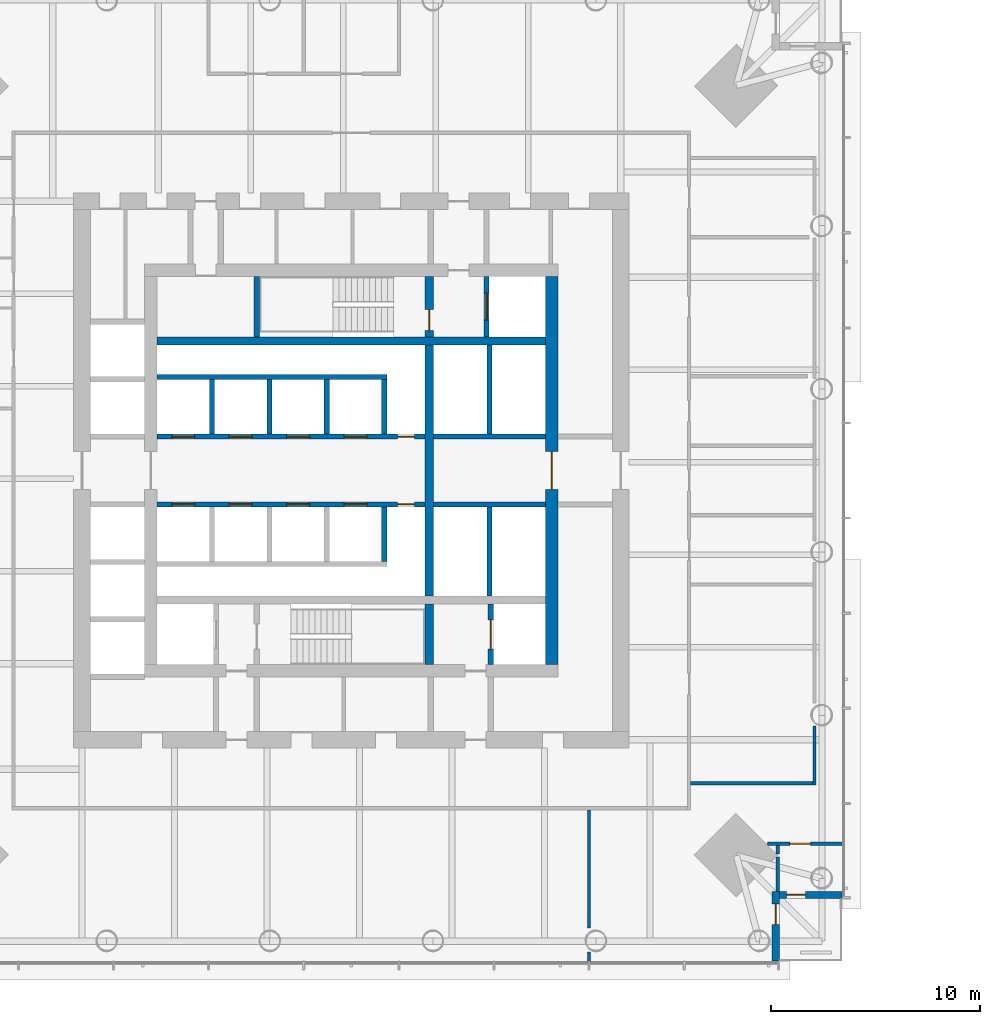
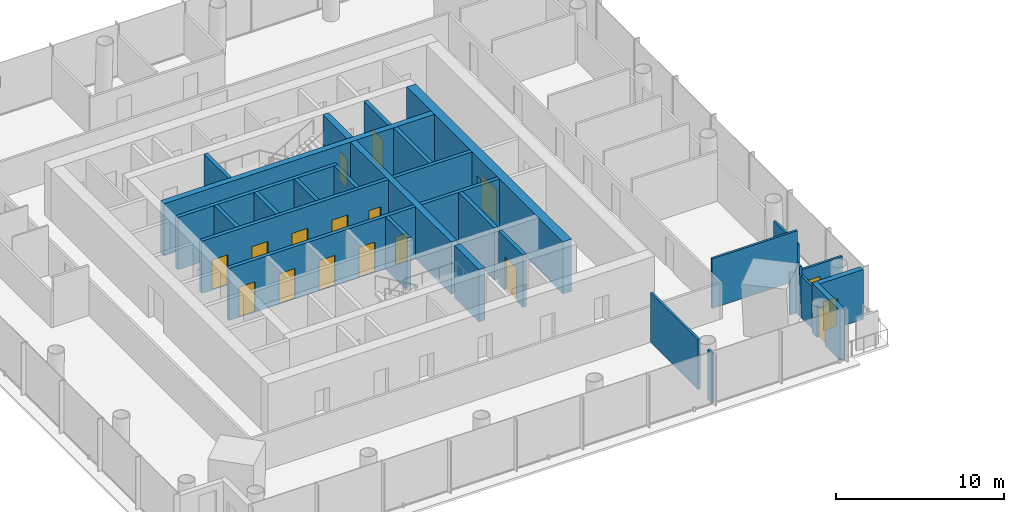
# One storey, part 10 of 26: 29 walls, 17 doors, 17 openings.
"""IFC4 building model written with IfcOpenShell, lengths in metres."""

from ifc_helpers import new_model, si_unit, direction, frame, frame_2d, origin, place, context, subcontext, project, spatial, rectangle, extrude, material, layer, layer_set, type_object, element, fill, save


model = new_model("IFC4")

# Units and contexts
model_context = context("Model", 3, precision=1e-05, world=origin(), true_north=direction((0.0, 1.0)))
body_context = subcontext(model_context, "Body", "Model", "MODEL_VIEW")
ifc_project = project(units=[si_unit("LENGTHUNIT", "METRE"), si_unit("AREAUNIT", "SQUARE_METRE"), si_unit("VOLUMEUNIT", "CUBIC_METRE"), si_unit("PLANEANGLEUNIT", "RADIAN"), si_unit("MASSUNIT", "GRAM", prefix="KILO")], contexts=[model_context])

# Site, building, storey
site_placement = place(None, origin())
site = spatial("IfcSite", under=ifc_project, at=site_placement, CompositionType="ELEMENT")
building_placement = place(site_placement, origin())
building = spatial("IfcBuilding", under=site, at=building_placement, Name="Ostroluk Exchange", CompositionType="ELEMENT")
storey_placement = place(building_placement, frame((0.0, 0.0, 66.60009765625)))
storey = spatial("IfcBuildingStorey", under=building, at=storey_placement, Name="L16", CompositionType="ELEMENT", Elevation=66.60009765625)

# Walls
ifc_material_1 = material(Name="Concrete C50/60", Category="concrete")
ifc_layer_1 = layer(ifc_material_1, 0.39990234375)
ifc_layer_set_1 = layer_set([ifc_layer_1], Name="Core cross wall 400 C50/60")
wall_type_1 = type_object("IfcWallType", Name="Core cross wall 400 C50/60", PredefinedType="SHEAR", material=ifc_layer_set_1)
wall_1_placement = place(storey_placement, frame((35.699951171875, 52.199951171875, 0.0), z_axis=(0.0, 0.0, 1.0), x_axis=(1.0, 0.0, 0.0)))
element("IfcWall", 1, at=wall_1_placement, inside=storey, type_object=wall_type_1, Name="T1 core wall XN", PredefinedType="SHEAR", context=body_context, shape_type="SweptSolid", body=[
    extrude(rectangle(XDim=18.60009765625, YDim=0.39990234375, at=frame_2d((9.300048828125, 0.0))), origin(), (0.0, 0.0, 1.0), 3.7998046875),
])
wall_2_placement = place(storey_placement, frame((48.72998046875, 36.699951171875, 0.0), z_axis=(0.0, 0.0, 1.0), x_axis=(0.0, 1.0, 0.0)))
element("IfcWall", 2, at=wall_2_placement, inside=storey, type_object=wall_type_1, Name="T1 core wall YE1", PredefinedType="SHEAR", context=body_context, shape_type="SweptSolid", body=[
    extrude(rectangle(XDim=2.900146484375, YDim=0.39990234375, at=frame_2d((1.4501953125, 0.0))), origin(), (0.0, 0.0, 1.0), 3.7998046875),
])
wall_3_placement = place(storey_placement, frame((48.72998046875, 40.0, 0.0), z_axis=(0.0, 0.0, 1.0), x_axis=(0.0, 1.0, 0.0)))
element("IfcWall", 3, at=wall_3_placement, inside=storey, type_object=wall_type_1, Name="T1 core wall YE2", PredefinedType="SHEAR", context=body_context, shape_type="SweptSolid", body=[
    extrude(rectangle(XDim=12.0, YDim=0.39990234375, at=frame_2d((6.0, 0.0))), origin(), (0.0, 0.0, 1.0), 3.7998046875),
])

# Wall, opening, door
wall_4_placement = place(storey_placement, frame((48.72998046875, 52.39990234375, 0.0), z_axis=(0.0, 0.0, 1.0), x_axis=(0.0, 1.0, 0.0)))
wall_4 = element("IfcWall", 4, at=wall_4_placement, inside=storey, type_object=wall_type_1, Name="T1 core wall YE3", PredefinedType="SHEAR", context=body_context, shape_type="SweptSolid", body=[
    extrude(rectangle(XDim=2.900146484375, YDim=0.39990234375, at=frame_2d((1.4501953125, 0.0))), origin(), (0.0, 0.0, 1.0), 3.7998046875),
])
opening_1_placement = place(wall_4_placement, frame((0.300048828125, 0.0, 0.0)))
opening_1 = element("IfcOpeningElement", 5, at=opening_1_placement, cuts=wall_4, Name="Opening FD60", PredefinedType="OPENING", context=body_context, shape_type="SweptSolid", body=[
    extrude(rectangle(XDim=1.0, YDim=2.10009765625, at=frame_2d((0.5, 1.050048828125))), frame((0.0, 0.2099609375, 0.0), z_axis=(0.0, -1.0, 0.0), x_axis=(1.0, 0.0, 0.0)), (0.0, 0.0, 1.0), 0.419921875),
])
ifc_material_2 = material(Name="Steel", Category="steel")
door_type_1 = type_object("IfcDoorType", Name="Fire door EI 60 1000 x 2100", OperationType="SINGLE_SWING_LEFT", PredefinedType="DOOR", material=ifc_material_2)
door_1_placement = place(opening_1_placement, origin())
door_1 = element("IfcDoor", 6, at=door_1_placement, inside=storey, type_object=door_type_1, Name="Stair T1-S2 door", OperationType="SINGLE_SWING_LEFT", OverallHeight=2.10009765625, OverallWidth=1.0, PredefinedType="DOOR", context=body_context, shape_type="SweptSolid", body=[
    extrude(rectangle(XDim=1.0, YDim=2.10009765625, at=frame_2d((0.5, 1.050048828125))), frame((0.0, 0.02490234375, 0.0), z_axis=(0.0, -1.0, 0.0), x_axis=(1.0, 0.0, 0.0)), (0.0, 0.0, 1.0), 0.050048828125),
])
fill(opening_1, door_1)

ifc_material_3 = material(Name="Concrete C40/50", Category="concrete")
ifc_layer_2 = layer(ifc_material_3, 0.25)
ifc_layer_set_2 = layer_set([ifc_layer_2], Name="Core shaft wall 250")
wall_type_2 = type_object("IfcWallType", Name="Core shaft wall 250", PredefinedType="SHEAR", material=ifc_layer_set_2)
wall_5_placement = place(storey_placement, frame((51.675048828125, 36.699951171875, 0.0), z_axis=(0.0, 0.0, 1.0), x_axis=(0.0, 1.0, 0.0)))
wall_5 = element("IfcWall", 7, at=wall_5_placement, inside=storey, type_object=wall_type_2, Name="Service lift shaft wall", PredefinedType="SHEAR", context=body_context, shape_type="SweptSolid", body=[
    extrude(rectangle(XDim=2.900146484375, YDim=0.25, at=frame_2d((1.4501953125, 0.0))), origin(), (0.0, 0.0, 1.0), 3.7998046875),
])
opening_2_placement = place(wall_5_placement, frame((0.75, 0.0, 0.0)))
opening_2 = element("IfcOpeningElement", 8, at=opening_2_placement, cuts=wall_5, Name="Opening LD3", PredefinedType="OPENING", context=body_context, shape_type="SweptSolid", body=[
    extrude(rectangle(XDim=1.39990234375, YDim=2.39990234375, at=frame_2d((0.699951171875, 1.199951171875))), frame((0.0, 0.135009765625, 0.0), z_axis=(0.0, -1.0, 0.0), x_axis=(1.0, 0.0, 0.0)), (0.0, 0.0, 1.0), 0.27001953125),
])
ifc_material_4 = material(Name="Stainless steel", Category="steel")
door_type_2 = type_object("IfcDoorType", Name="Goods lift landing door E 60 1400 x 2400", OperationType="DOUBLE_DOOR_SLIDING", PredefinedType="DOOR", material=ifc_material_4)
door_2_placement = place(opening_2_placement, origin())
door_2 = element("IfcDoor", 9, at=door_2_placement, inside=storey, type_object=door_type_2, Name="Lift SL1 landing door", OperationType="DOUBLE_DOOR_SLIDING", OverallHeight=2.39990234375, OverallWidth=1.39990234375, PredefinedType="DOOR", context=body_context, shape_type="SweptSolid", body=[
    extrude(rectangle(XDim=1.39990234375, YDim=2.39990234375, at=frame_2d((0.699951171875, 1.199951171875))), frame((0.0, 0.02490234375, 0.0), z_axis=(0.0, -1.0, 0.0), x_axis=(1.0, 0.0, 0.0)), (0.0, 0.0, 1.0), 0.050048828125),
])
fill(opening_2, door_2)

# Wall
wall_6_placement = place(storey_placement, frame((40.47509765625, 52.39990234375, 0.0), z_axis=(0.0, 0.0, 1.0), x_axis=(0.0, 1.0, 0.0)))
element("IfcWall", 10, at=wall_6_placement, inside=storey, type_object=wall_type_2, Name="Stair shaft wall", PredefinedType="SHEAR", context=body_context, shape_type="SweptSolid", body=[
    extrude(rectangle(XDim=2.900146484375, YDim=0.25, at=frame_2d((1.4501953125, 0.0))), origin(), (0.0, 0.0, 1.0), 3.7998046875),
])

# Wall, opening, door
wall_7_placement = place(storey_placement, frame((51.47509765625, 52.39990234375, 0.0), z_axis=(0.0, 0.0, 1.0), x_axis=(0.0, 1.0, 0.0)))
wall_7 = element("IfcWall", 11, at=wall_7_placement, inside=storey, type_object=wall_type_2, Name="Firefighting lift shaft wall", PredefinedType="SHEAR", context=body_context, shape_type="SweptSolid", body=[
    extrude(rectangle(XDim=2.900146484375, YDim=0.25, at=frame_2d((1.4501953125, 0.0))), origin(), (0.0, 0.0, 1.0), 3.7998046875),
])
opening_3_placement = place(wall_7_placement, frame((0.800048828125, 0.0, 0.0)))
opening_3 = element("IfcOpeningElement", 12, at=opening_3_placement, cuts=wall_7, Name="Opening LD2", PredefinedType="OPENING", context=body_context, shape_type="SweptSolid", body=[
    extrude(rectangle(XDim=1.300048828125, YDim=2.199951171875, at=frame_2d((0.64990234375, 1.10009765625))), frame((0.0, 0.135009765625, 0.0), z_axis=(0.0, -1.0, 0.0), x_axis=(1.0, 0.0, 0.0)), (0.0, 0.0, 1.0), 0.27001953125),
])
ifc_material_5 = material(Name="Stainless steel", Category="steel")
door_type_3 = type_object("IfcDoorType", Name="Lift landing door E 60 1300 x 2200", OperationType="DOUBLE_DOOR_SLIDING", PredefinedType="DOOR", material=ifc_material_5)
door_3_placement = place(opening_3_placement, origin())
door_3 = element("IfcDoor", 13, at=door_3_placement, inside=storey, type_object=door_type_3, Name="Lift FL2 landing door", OperationType="DOUBLE_DOOR_SLIDING", OverallHeight=2.199951171875, OverallWidth=1.300048828125, PredefinedType="DOOR", context=body_context, shape_type="SweptSolid", body=[
    extrude(rectangle(XDim=1.300048828125, YDim=2.199951171875, at=frame_2d((0.64990234375, 1.10009765625))), frame((0.0, 0.02490234375, 0.0), z_axis=(0.0, -1.0, 0.0), x_axis=(1.0, 0.0, 0.0)), (0.0, 0.0, 1.0), 0.050048828125),
])
fill(opening_3, door_3)

# Walls
for number, where, z_axis, x_axis, name in (
    (14, (38.324951171875, 47.75, 0.0), (0.0, 0.0, 1.0), (0.0, 1.0, 0.0), "Lift shaft wall"),
    (15, (41.074951171875, 47.75, 0.0), (0.0, 0.0, 1.0), (0.0, 1.0, 0.0), "Lift shaft wall"),
    (16, (43.824951171875, 47.75, 0.0), (0.0, 0.0, 1.0), (0.0, 1.0, 0.0), "Lift shaft wall"),
    (17, (46.574951171875, 47.75, 0.0), (0.0, 0.0, 1.0), (0.0, 1.0, 0.0), "Lift shaft wall"),
):
    element("IfcWall", number, at=place(storey_placement, frame(where, z_axis=z_axis, x_axis=x_axis)), inside=storey, type_object=wall_type_2, Name=name, PredefinedType="SHEAR", context=body_context, shape_type="SweptSolid", body=[
        extrude(rectangle(XDim=2.60009765625, YDim=0.25, at=frame_2d((1.300048828125, 0.0))), origin(), (0.0, 0.0, 1.0), 3.7998046875),
    ])
wall_8_placement = place(storey_placement, frame((35.699951171875, 50.47509765625, 0.0), z_axis=(0.0, 0.0, 1.0), x_axis=(1.0, 0.0, 0.0)))
element("IfcWall", 18, at=wall_8_placement, inside=storey, type_object=wall_type_2, Name="Lift shaft wall", PredefinedType="SHEAR", context=body_context, shape_type="SweptSolid", body=[
    extrude(rectangle(XDim=11.0, YDim=0.25, at=frame_2d((5.5, 0.0))), origin(), (0.0, 0.0, 1.0), 3.7998046875),
])

# Wall, openings, doors
wall_9_placement = place(storey_placement, frame((35.699951171875, 47.625, 0.0), z_axis=(0.0, 0.0, 1.0), x_axis=(1.0, 0.0, 0.0)))
wall_9 = element("IfcWall", 19, at=wall_9_placement, inside=storey, type_object=wall_type_2, Name="Lift shaft front wall", PredefinedType="SHEAR", context=body_context, shape_type="SweptSolid", body=[
    extrude(rectangle(XDim=12.830078125, YDim=0.25, at=frame_2d((6.4150390625, 0.0))), origin(), (0.0, 0.0, 1.0), 3.7998046875),
])
opening_4_placement = place(wall_9_placement, frame((0.699951171875, 0.0, 0.0)))
opening_4 = element("IfcOpeningElement", 20, at=opening_4_placement, cuts=wall_9, Name="Opening LD", PredefinedType="OPENING", context=body_context, shape_type="SweptSolid", body=[
    extrude(rectangle(XDim=1.10009765625, YDim=2.199951171875, at=frame_2d((0.550048828125, 1.10009765625))), frame((0.0, 0.135009765625, 0.0), z_axis=(0.0, -1.0, 0.0), x_axis=(1.0, 0.0, 0.0)), (0.0, 0.0, 1.0), 0.27001953125),
])
opening_5_placement = place(wall_9_placement, frame((3.449951171875, 0.0, 0.0)))
opening_5 = element("IfcOpeningElement", 21, at=opening_5_placement, cuts=wall_9, Name="Opening LD", PredefinedType="OPENING", context=body_context, shape_type="SweptSolid", body=[
    extrude(rectangle(XDim=1.10009765625, YDim=2.199951171875, at=frame_2d((0.550048828125, 1.10009765625))), frame((0.0, 0.135009765625, 0.0), z_axis=(0.0, -1.0, 0.0), x_axis=(1.0, 0.0, 0.0)), (0.0, 0.0, 1.0), 0.27001953125),
])
opening_6_placement = place(wall_9_placement, frame((6.199951171875, 0.0, 0.0)))
opening_6 = element("IfcOpeningElement", 22, at=opening_6_placement, cuts=wall_9, Name="Opening LD", PredefinedType="OPENING", context=body_context, shape_type="SweptSolid", body=[
    extrude(rectangle(XDim=1.10009765625, YDim=2.199951171875, at=frame_2d((0.550048828125, 1.10009765625))), frame((0.0, 0.135009765625, 0.0), z_axis=(0.0, -1.0, 0.0), x_axis=(1.0, 0.0, 0.0)), (0.0, 0.0, 1.0), 0.27001953125),
])
opening_7_placement = place(wall_9_placement, frame((8.949951171875, 0.0, 0.0)))
opening_7 = element("IfcOpeningElement", 23, at=opening_7_placement, cuts=wall_9, Name="Opening LD", PredefinedType="OPENING", context=body_context, shape_type="SweptSolid", body=[
    extrude(rectangle(XDim=1.10009765625, YDim=2.199951171875, at=frame_2d((0.550048828125, 1.10009765625))), frame((0.0, 0.135009765625, 0.0), z_axis=(0.0, -1.0, 0.0), x_axis=(1.0, 0.0, 0.0)), (0.0, 0.0, 1.0), 0.27001953125),
])
opening_8_placement = place(wall_9_placement, frame((11.514892578125, 0.0, 0.0)))
opening_8 = element("IfcOpeningElement", 24, at=opening_8_placement, cuts=wall_9, Name="Opening RD60", PredefinedType="OPENING", context=body_context, shape_type="SweptSolid", body=[
    extrude(rectangle(XDim=0.800048828125, YDim=2.0, at=frame_2d((0.39990234375, 1.0))), frame((0.0, 0.135009765625, 0.0), z_axis=(0.0, -1.0, 0.0), x_axis=(1.0, 0.0, 0.0)), (0.0, 0.0, 1.0), 0.27001953125),
])
ifc_material_6 = material(Name="Stainless steel", Category="steel")
door_type_4 = type_object("IfcDoorType", Name="Lift landing door E 60 1100 x 2200", OperationType="DOUBLE_DOOR_SLIDING", PredefinedType="DOOR", material=ifc_material_6)
door_4_placement = place(opening_4_placement, origin())
door_4 = element("IfcDoor", 25, at=door_4_placement, inside=storey, type_object=door_type_4, Name="Lift PL-L1 landing door", OperationType="DOUBLE_DOOR_SLIDING", OverallHeight=2.199951171875, OverallWidth=1.10009765625, PredefinedType="DOOR", context=body_context, shape_type="SweptSolid", body=[
    extrude(rectangle(XDim=1.10009765625, YDim=2.199951171875, at=frame_2d((0.550048828125, 1.10009765625))), frame((0.0, 0.02490234375, 0.0), z_axis=(0.0, -1.0, 0.0), x_axis=(1.0, 0.0, 0.0)), (0.0, 0.0, 1.0), 0.050048828125),
])
fill(opening_4, door_4)
door_5_placement = place(opening_5_placement, origin())
door_5 = element("IfcDoor", 26, at=door_5_placement, inside=storey, type_object=door_type_4, Name="Lift PL-L2 landing door", OperationType="DOUBLE_DOOR_SLIDING", OverallHeight=2.199951171875, OverallWidth=1.10009765625, PredefinedType="DOOR", context=body_context, shape_type="SweptSolid", body=[
    extrude(rectangle(XDim=1.10009765625, YDim=2.199951171875, at=frame_2d((0.550048828125, 1.10009765625))), frame((0.0, 0.02490234375, 0.0), z_axis=(0.0, -1.0, 0.0), x_axis=(1.0, 0.0, 0.0)), (0.0, 0.0, 1.0), 0.050048828125),
])
fill(opening_5, door_5)
door_6_placement = place(opening_6_placement, origin())
door_6 = element("IfcDoor", 27, at=door_6_placement, inside=storey, type_object=door_type_4, Name="Lift PL-L3 landing door", OperationType="DOUBLE_DOOR_SLIDING", OverallHeight=2.199951171875, OverallWidth=1.10009765625, PredefinedType="DOOR", context=body_context, shape_type="SweptSolid", body=[
    extrude(rectangle(XDim=1.10009765625, YDim=2.199951171875, at=frame_2d((0.550048828125, 1.10009765625))), frame((0.0, 0.02490234375, 0.0), z_axis=(0.0, -1.0, 0.0), x_axis=(1.0, 0.0, 0.0)), (0.0, 0.0, 1.0), 0.050048828125),
])
fill(opening_6, door_6)
door_7_placement = place(opening_7_placement, origin())
door_7 = element("IfcDoor", 28, at=door_7_placement, inside=storey, type_object=door_type_4, Name="Lift PL-L4 landing door", OperationType="DOUBLE_DOOR_SLIDING", OverallHeight=2.199951171875, OverallWidth=1.10009765625, PredefinedType="DOOR", context=body_context, shape_type="SweptSolid", body=[
    extrude(rectangle(XDim=1.10009765625, YDim=2.199951171875, at=frame_2d((0.550048828125, 1.10009765625))), frame((0.0, 0.02490234375, 0.0), z_axis=(0.0, -1.0, 0.0), x_axis=(1.0, 0.0, 0.0)), (0.0, 0.0, 1.0), 0.050048828125),
])
fill(opening_7, door_7)
ifc_material_7 = material(Name="Steel", Category="steel")
door_type_5 = type_object("IfcDoorType", Name="Riser access door EI 60 800 x 2000", OperationType="SINGLE_SWING_LEFT", PredefinedType="DOOR", material=ifc_material_7)
door_8_placement = place(opening_8_placement, origin())
door_8 = element("IfcDoor", 29, at=door_8_placement, inside=storey, type_object=door_type_5, Name="Riser access door", OperationType="SINGLE_SWING_RIGHT", OverallHeight=2.0, OverallWidth=0.800048828125, PredefinedType="DOOR", context=body_context, shape_type="SweptSolid", body=[
    extrude(rectangle(XDim=0.800048828125, YDim=2.0, at=frame_2d((0.39990234375, 1.0))), frame((0.0, 0.02490234375, 0.0), z_axis=(0.0, -1.0, 0.0), x_axis=(1.0, 0.0, 0.0)), (0.0, 0.0, 1.0), 0.050048828125),
])
fill(opening_8, door_8)

# Wall
wall_10_placement = place(storey_placement, frame((46.574951171875, 44.25, 0.0), z_axis=(0.0, 0.0, 1.0), x_axis=(0.0, -1.0, 0.0)))
element("IfcWall", 30, at=wall_10_placement, inside=storey, type_object=wall_type_2, Name="Lift shaft wall", PredefinedType="SHEAR", context=body_context, shape_type="SweptSolid", body=[
    extrude(rectangle(XDim=2.60009765625, YDim=0.25, at=frame_2d((1.300048828125, 0.0))), origin(), (0.0, 0.0, 1.0), 3.7998046875),
])

# Wall, openings, doors
wall_11_placement = place(storey_placement, frame((35.699951171875, 44.375, 0.0), z_axis=(0.0, 0.0, 1.0), x_axis=(1.0, 0.0, 0.0)))
wall_11 = element("IfcWall", 31, at=wall_11_placement, inside=storey, type_object=wall_type_2, Name="Lift shaft front wall", PredefinedType="SHEAR", context=body_context, shape_type="SweptSolid", body=[
    extrude(rectangle(XDim=12.830078125, YDim=0.25, at=frame_2d((6.4150390625, 0.0))), origin(), (0.0, 0.0, 1.0), 3.7998046875),
])
opening_9_placement = place(wall_11_placement, frame((0.699951171875, 0.0, 0.0)))
opening_9 = element("IfcOpeningElement", 32, at=opening_9_placement, cuts=wall_11, Name="Opening LD", PredefinedType="OPENING", context=body_context, shape_type="SweptSolid", body=[
    extrude(rectangle(XDim=1.10009765625, YDim=2.199951171875, at=frame_2d((0.550048828125, 1.10009765625))), frame((0.0, 0.135009765625, 0.0), z_axis=(0.0, -1.0, 0.0), x_axis=(1.0, 0.0, 0.0)), (0.0, 0.0, 1.0), 0.27001953125),
])
opening_10_placement = place(wall_11_placement, frame((3.449951171875, 0.0, 0.0)))
opening_10 = element("IfcOpeningElement", 33, at=opening_10_placement, cuts=wall_11, Name="Opening LD", PredefinedType="OPENING", context=body_context, shape_type="SweptSolid", body=[
    extrude(rectangle(XDim=1.10009765625, YDim=2.199951171875, at=frame_2d((0.550048828125, 1.10009765625))), frame((0.0, 0.135009765625, 0.0), z_axis=(0.0, -1.0, 0.0), x_axis=(1.0, 0.0, 0.0)), (0.0, 0.0, 1.0), 0.27001953125),
])
opening_11_placement = place(wall_11_placement, frame((6.199951171875, 0.0, 0.0)))
opening_11 = element("IfcOpeningElement", 34, at=opening_11_placement, cuts=wall_11, Name="Opening LD", PredefinedType="OPENING", context=body_context, shape_type="SweptSolid", body=[
    extrude(rectangle(XDim=1.10009765625, YDim=2.199951171875, at=frame_2d((0.550048828125, 1.10009765625))), frame((0.0, 0.135009765625, 0.0), z_axis=(0.0, -1.0, 0.0), x_axis=(1.0, 0.0, 0.0)), (0.0, 0.0, 1.0), 0.27001953125),
])
opening_12_placement = place(wall_11_placement, frame((8.949951171875, 0.0, 0.0)))
opening_12 = element("IfcOpeningElement", 35, at=opening_12_placement, cuts=wall_11, Name="Opening LD", PredefinedType="OPENING", context=body_context, shape_type="SweptSolid", body=[
    extrude(rectangle(XDim=1.10009765625, YDim=2.199951171875, at=frame_2d((0.550048828125, 1.10009765625))), frame((0.0, 0.135009765625, 0.0), z_axis=(0.0, -1.0, 0.0), x_axis=(1.0, 0.0, 0.0)), (0.0, 0.0, 1.0), 0.27001953125),
])
opening_13_placement = place(wall_11_placement, frame((11.514892578125, 0.0, 0.0)))
opening_13 = element("IfcOpeningElement", 36, at=opening_13_placement, cuts=wall_11, Name="Opening RD60", PredefinedType="OPENING", context=body_context, shape_type="SweptSolid", body=[
    extrude(rectangle(XDim=0.800048828125, YDim=2.0, at=frame_2d((0.39990234375, 1.0))), frame((0.0, 0.135009765625, 0.0), z_axis=(0.0, -1.0, 0.0), x_axis=(1.0, 0.0, 0.0)), (0.0, 0.0, 1.0), 0.27001953125),
])
door_9_placement = place(opening_9_placement, origin())
door_9 = element("IfcDoor", 37, at=door_9_placement, inside=storey, type_object=door_type_4, Name="Lift PL-L5 landing door", OperationType="DOUBLE_DOOR_SLIDING", OverallHeight=2.199951171875, OverallWidth=1.10009765625, PredefinedType="DOOR", context=body_context, shape_type="SweptSolid", body=[
    extrude(rectangle(XDim=1.10009765625, YDim=2.199951171875, at=frame_2d((0.550048828125, 1.10009765625))), frame((0.0, 0.02490234375, 0.0), z_axis=(0.0, -1.0, 0.0), x_axis=(1.0, 0.0, 0.0)), (0.0, 0.0, 1.0), 0.050048828125),
])
fill(opening_9, door_9)
door_10_placement = place(opening_10_placement, origin())
door_10 = element("IfcDoor", 38, at=door_10_placement, inside=storey, type_object=door_type_4, Name="Lift PL-L6 landing door", OperationType="DOUBLE_DOOR_SLIDING", OverallHeight=2.199951171875, OverallWidth=1.10009765625, PredefinedType="DOOR", context=body_context, shape_type="SweptSolid", body=[
    extrude(rectangle(XDim=1.10009765625, YDim=2.199951171875, at=frame_2d((0.550048828125, 1.10009765625))), frame((0.0, 0.02490234375, 0.0), z_axis=(0.0, -1.0, 0.0), x_axis=(1.0, 0.0, 0.0)), (0.0, 0.0, 1.0), 0.050048828125),
])
fill(opening_10, door_10)
door_11_placement = place(opening_11_placement, origin())
door_11 = element("IfcDoor", 39, at=door_11_placement, inside=storey, type_object=door_type_4, Name="Lift PL-L7 landing door", OperationType="DOUBLE_DOOR_SLIDING", OverallHeight=2.199951171875, OverallWidth=1.10009765625, PredefinedType="DOOR", context=body_context, shape_type="SweptSolid", body=[
    extrude(rectangle(XDim=1.10009765625, YDim=2.199951171875, at=frame_2d((0.550048828125, 1.10009765625))), frame((0.0, 0.02490234375, 0.0), z_axis=(0.0, -1.0, 0.0), x_axis=(1.0, 0.0, 0.0)), (0.0, 0.0, 1.0), 0.050048828125),
])
fill(opening_11, door_11)
door_12_placement = place(opening_12_placement, origin())
door_12 = element("IfcDoor", 40, at=door_12_placement, inside=storey, type_object=door_type_4, Name="Lift PL-L8 landing door", OperationType="DOUBLE_DOOR_SLIDING", OverallHeight=2.199951171875, OverallWidth=1.10009765625, PredefinedType="DOOR", context=body_context, shape_type="SweptSolid", body=[
    extrude(rectangle(XDim=1.10009765625, YDim=2.199951171875, at=frame_2d((0.550048828125, 1.10009765625))), frame((0.0, 0.02490234375, 0.0), z_axis=(0.0, -1.0, 0.0), x_axis=(1.0, 0.0, 0.0)), (0.0, 0.0, 1.0), 0.050048828125),
])
fill(opening_12, door_12)
door_13_placement = place(opening_13_placement, origin())
door_13 = element("IfcDoor", 41, at=door_13_placement, inside=storey, type_object=door_type_5, Name="Riser access door", OperationType="SINGLE_SWING_RIGHT", OverallHeight=2.0, OverallWidth=0.800048828125, PredefinedType="DOOR", context=body_context, shape_type="SweptSolid", body=[
    extrude(rectangle(XDim=0.800048828125, YDim=2.0, at=frame_2d((0.39990234375, 1.0))), frame((0.0, 0.02490234375, 0.0), z_axis=(0.0, -1.0, 0.0), x_axis=(1.0, 0.0, 0.0)), (0.0, 0.0, 1.0), 0.050048828125),
])
fill(opening_13, door_13)

# Walls
wall_12_placement = place(storey_placement, frame((51.614990234375, 47.75, 0.0), z_axis=(0.0, 0.0, 1.0), x_axis=(0.0, 1.0, 0.0)))
element("IfcWall", 42, at=wall_12_placement, inside=storey, type_object=wall_type_2, Name="Lift shaft wall", PredefinedType="SHEAR", context=body_context, shape_type="SweptSolid", body=[
    extrude(rectangle(XDim=4.25, YDim=0.25, at=frame_2d((2.125, 0.0))), origin(), (0.0, 0.0, 1.0), 3.7998046875),
])
wall_13_placement = place(storey_placement, frame((48.929931640625, 47.625, 0.0), z_axis=(0.0, 0.0, 1.0), x_axis=(1.0, 0.0, 0.0)))
element("IfcWall", 43, at=wall_13_placement, inside=storey, type_object=wall_type_2, Name="Lift shaft front wall", PredefinedType="SHEAR", context=body_context, shape_type="SweptSolid", body=[
    extrude(rectangle(XDim=5.3701171875, YDim=0.25, at=frame_2d((2.68505859375, 0.0))), origin(), (0.0, 0.0, 1.0), 3.7998046875),
])
wall_14_placement = place(storey_placement, frame((51.614990234375, 44.25, 0.0), z_axis=(0.0, 0.0, 1.0), x_axis=(0.0, -1.0, 0.0)))
element("IfcWall", 44, at=wall_14_placement, inside=storey, type_object=wall_type_2, Name="Lift shaft wall", PredefinedType="SHEAR", context=body_context, shape_type="SweptSolid", body=[
    extrude(rectangle(XDim=4.25, YDim=0.25, at=frame_2d((2.125, 0.0))), origin(), (0.0, 0.0, 1.0), 3.7998046875),
])
wall_15_placement = place(storey_placement, frame((48.929931640625, 44.375, 0.0), z_axis=(0.0, 0.0, 1.0), x_axis=(1.0, 0.0, 0.0)))
element("IfcWall", 45, at=wall_15_placement, inside=storey, type_object=wall_type_2, Name="Lift shaft front wall", PredefinedType="SHEAR", context=body_context, shape_type="SweptSolid", body=[
    extrude(rectangle(XDim=5.3701171875, YDim=0.25, at=frame_2d((2.68505859375, 0.0))), origin(), (0.0, 0.0, 1.0), 3.7998046875),
])

# Wall, opening, door
ifc_material_8 = material(Name="Concrete C50/60", Category="concrete")
ifc_layer_3 = layer(ifc_material_8, 0.60009765625)
ifc_layer_set_3 = layer_set([ifc_layer_3], Name="Core wall 600 C50/60")
wall_type_3 = type_object("IfcWallType", Name="Core wall 600 C50/60", PredefinedType="SHEAR", material=ifc_layer_set_3)
wall_16_placement = place(storey_placement, frame((54.60009765625, 36.699951171875, 0.0), z_axis=(0.0, 0.0, 1.0), x_axis=(0.0, 1.0, 0.0)))
wall_16 = element("IfcWall", 46, at=wall_16_placement, inside=storey, type_object=wall_type_3, Name="T1 core wall E", PredefinedType="SHEAR", context=body_context, shape_type="SweptSolid", body=[
    extrude(rectangle(XDim=18.60009765625, YDim=0.60009765625, at=frame_2d((9.300048828125, 0.0))), origin(), (0.0, 0.0, 1.0), 3.7998046875),
])
opening_14_placement = place(wall_16_placement, frame((8.39990234375, 0.0, 0.0)))
opening_14 = element("IfcOpeningElement", 47, at=opening_14_placement, cuts=wall_16, Name="Opening FD30D", PredefinedType="OPENING", context=body_context, shape_type="SweptSolid", body=[
    extrude(rectangle(XDim=1.800048828125, YDim=2.39990234375, at=frame_2d((0.89990234375, 1.199951171875))), frame((0.0, 0.31005859375, 0.0), z_axis=(0.0, -1.0, 0.0), x_axis=(1.0, 0.0, 0.0)), (0.0, 0.0, 1.0), 0.6201171875),
])
ifc_material_9 = material(Name="Timber", Category="wood")
door_type_6 = type_object("IfcDoorType", Name="Lobby double door EI 30 1800 x 2400", OperationType="DOUBLE_DOOR_SINGLE_SWING", PredefinedType="DOOR", material=ifc_material_9)
door_14_placement = place(opening_14_placement, origin())
door_14 = element("IfcDoor", 48, at=door_14_placement, inside=storey, type_object=door_type_6, Name="Lift lobby doors", OperationType="DOUBLE_DOOR_SINGLE_SWING", OverallHeight=2.39990234375, OverallWidth=1.800048828125, PredefinedType="DOOR", context=body_context, shape_type="SweptSolid", body=[
    extrude(rectangle(XDim=1.800048828125, YDim=2.39990234375, at=frame_2d((0.89990234375, 1.199951171875))), frame((0.0, 0.02490234375, 0.0), z_axis=(0.0, -1.0, 0.0), x_axis=(1.0, 0.0, 0.0)), (0.0, 0.0, 1.0), 0.050048828125),
])
fill(opening_14, door_14)

ifc_material_10 = material(Name="Limestone", Category="masonry")
ifc_layer_4 = layer(ifc_material_10, 0.35009765625)
ifc_layer_set_4 = layer_set([ifc_layer_4], Name="Limestone facade wall 350")
wall_type_4 = type_object("IfcWallType", Name="Limestone facade wall 350", PredefinedType="SOLIDWALL", material=ifc_layer_set_4)
wall_17_placement = place(storey_placement, frame((65.324951171875, 22.5, 0.0), z_axis=(0.0, 0.0, 1.0), x_axis=(0.0, 1.0, 0.0)))
wall_17 = element("IfcWall", 49, at=wall_17_placement, inside=storey, type_object=wall_type_4, Name="Office tower SE corner wall L16 a", PredefinedType="SOLIDWALL", context=body_context, shape_type="SweptSolid", body=[
    extrude(rectangle(XDim=3.35009765625, YDim=0.35009765625, at=frame_2d((1.675048828125, 0.0))), origin(), (0.0, 0.0, 1.0), 3.619873046875),
])
opening_15_placement = place(wall_17_placement, frame((1.75, 0.0, 0.0)))
opening_15 = element("IfcOpeningElement", 50, at=opening_15_placement, cuts=wall_17, Name="Opening D-B1", PredefinedType="OPENING", context=body_context, shape_type="SweptSolid", body=[
    extrude(rectangle(XDim=1.0, YDim=2.39990234375, at=frame_2d((0.5, 1.199951171875))), frame((0.0, 0.18505859375, 0.0), z_axis=(0.0, -1.0, 0.0), x_axis=(1.0, 0.0, 0.0)), (0.0, 0.0, 1.0), 0.3701171875),
])
ifc_material_11 = material(Name="Bronze framed glazed door", Category="aluminium")
door_type_7 = type_object("IfcDoorType", Name="Balcony door 1000 x 2400", OperationType="SINGLE_SWING_LEFT", PredefinedType="DOOR", material=ifc_material_11)
door_15_placement = place(opening_15_placement, origin())
door_15 = element("IfcDoor", 51, at=door_15_placement, inside=storey, type_object=door_type_7, Name="Office tower SE balcony door L16", OperationType="SINGLE_SWING_RIGHT", OverallHeight=2.39990234375, OverallWidth=1.0, PredefinedType="DOOR", context=body_context, shape_type="SweptSolid", body=[
    extrude(rectangle(XDim=1.0, YDim=2.39990234375, at=frame_2d((0.5, 1.199951171875))), frame((0.0, 0.02490234375, 0.0), z_axis=(0.0, -1.0, 0.0), x_axis=(1.0, 0.0, 0.0)), (0.0, 0.0, 1.0), 0.050048828125),
])
fill(opening_15, door_15)

wall_18_placement = place(storey_placement, frame((65.5, 25.675048828125, 0.0), z_axis=(0.0, 0.0, 1.0), x_axis=(1.0, 0.0, 0.0)))
wall_18 = element("IfcWall", 52, at=wall_18_placement, inside=storey, type_object=wall_type_4, Name="Office tower SE corner wall L16 b", PredefinedType="SOLIDWALL", context=body_context, shape_type="SweptSolid", body=[
    extrude(rectangle(XDim=3.0, YDim=0.35009765625, at=frame_2d((1.5, 0.0))), origin(), (0.0, 0.0, 1.0), 3.619873046875),
])
opening_16_placement = place(wall_18_placement, frame((0.35009765625, 0.0, 0.0)))
opening_16 = element("IfcOpeningElement", 53, at=opening_16_placement, cuts=wall_18, Name="Opening D-M1", PredefinedType="OPENING", context=body_context, shape_type="SweptSolid", body=[
    extrude(rectangle(XDim=0.89990234375, YDim=2.10009765625, at=frame_2d((0.449951171875, 1.050048828125))), frame((0.0, 0.18505859375, 0.0), z_axis=(0.0, -1.0, 0.0), x_axis=(1.0, 0.0, 0.0)), (0.0, 0.0, 1.0), 0.3701171875),
])
ifc_material_12 = material(Name="Steel door", Category="steel")
door_type_8 = type_object("IfcDoorType", Name="Maintenance access door 900 x 2100", OperationType="SINGLE_SWING_LEFT", PredefinedType="DOOR", material=ifc_material_12)
door_16_placement = place(opening_16_placement, origin())
door_16 = element("IfcDoor", 54, at=door_16_placement, inside=storey, type_object=door_type_8, Name="Maintenance access door T1 L16 SE", OperationType="SINGLE_SWING_LEFT", OverallHeight=2.10009765625, OverallWidth=0.89990234375, PredefinedType="DOOR", context=body_context, shape_type="SweptSolid", body=[
    extrude(rectangle(XDim=0.89990234375, YDim=2.10009765625, at=frame_2d((0.449951171875, 1.050048828125))), frame((0.0, 0.02490234375, 0.0), z_axis=(0.0, -1.0, 0.0), x_axis=(1.0, 0.0, 0.0)), (0.0, 0.0, 1.0), 0.050048828125),
])
fill(opening_16, door_16)

# Walls
ifc_material_13 = material(Name="Gypsum plasterboard partition", Category="gypsum")
ifc_layer_5 = layer(ifc_material_13, 0.14990234375)
ifc_layer_set_5 = layer_set([ifc_layer_5], Name="Plasterboard partition 150")
wall_type_5 = type_object("IfcWallType", Name="Plasterboard partition 150", PredefinedType="PARTITIONING", material=ifc_layer_set_5)
wall_19_placement = place(storey_placement, frame((61.25, 31.02490234375, 0.0), z_axis=(0.0, 0.0, 1.0), x_axis=(1.0, 0.0, 0.0)))
element("IfcWall", 55, at=wall_19_placement, inside=storey, type_object=wall_type_5, Name="Partition", PredefinedType="PARTITIONING", context=body_context, shape_type="SweptSolid", body=[
    extrude(rectangle(XDim=5.85009765625, YDim=0.14990234375, at=frame_2d((2.925048828125, 0.0))), origin(), (0.0, 0.0, 1.0), 3.619873046875),
])
wall_20_placement = place(storey_placement, frame((67.175048828125, 30.949951171875, 0.0), z_axis=(0.0, 0.0, 1.0), x_axis=(0.0, 1.0, 0.0)))
element("IfcWall", 56, at=wall_20_placement, inside=storey, type_object=wall_type_5, Name="Partition", PredefinedType="PARTITIONING", context=body_context, shape_type="SweptSolid", body=[
    extrude(rectangle(XDim=2.81640625, YDim=0.14990234375, at=frame_2d((1.408203125, 0.0))), origin(), (0.0, 0.0, 1.0), 2.61181640625),
])
wall_21_placement = place(storey_placement, frame((56.388916015625, 29.75, 0.0), z_axis=(0.0, 0.0, 1.0), x_axis=(0.0, -1.0, 0.0)))
element("IfcWall", 57, at=wall_21_placement, inside=storey, type_object=wall_type_5, Name="Tenancy partition", PredefinedType="PARTITIONING", context=body_context, shape_type="SweptSolid", body=[
    extrude(rectangle(XDim=5.663330078125, YDim=0.14990234375, at=frame_2d((2.83154296875, 0.0))), origin(), (0.0, 0.0, 1.0), 3.619873046875),
])
wall_22_placement = place(storey_placement, frame((56.388916015625, 22.94921875, 0.0), z_axis=(0.0, 0.0, 1.0), x_axis=(0.0, -1.0, 0.0)))
element("IfcWall", 58, at=wall_22_placement, inside=storey, type_object=wall_type_5, Name="Tenancy partition", PredefinedType="PARTITIONING", context=body_context, shape_type="SweptSolid", body=[
    extrude(rectangle(XDim=0.4892578125, YDim=0.14990234375, at=frame_2d((0.24462890625, 0.0))), origin(), (0.0, 0.0, 1.0), 3.619873046875),
])

# Wall, opening, door
wall_23_placement = place(storey_placement, frame((64.929931640625, 28.125, 0.0), z_axis=(0.0, 0.0, 1.0), x_axis=(1.0, 0.0, 0.0)))
wall_23 = element("IfcWall", 59, at=wall_23_placement, inside=storey, type_object=wall_type_5, Name="Partition", PredefinedType="PARTITIONING", context=body_context, shape_type="SweptSolid", body=[
    extrude(rectangle(XDim=3.610107421875, YDim=0.14990234375, at=frame_2d((1.80517578125, 0.0))), origin(), (0.0, 0.0, 1.0), 3.02001953125),
])
opening_17_placement = place(wall_23_placement, frame((1.070068359375, 0.0, 0.0)))
opening_17 = element("IfcOpeningElement", 60, at=opening_17_placement, cuts=wall_23, Name="Opening D-03", PredefinedType="OPENING", context=body_context, shape_type="SweptSolid", body=[
    extrude(rectangle(XDim=1.0, YDim=2.10009765625, at=frame_2d((0.5, 1.050048828125))), frame((0.0, 0.0849609375, 0.0), z_axis=(0.0, -1.0, 0.0), x_axis=(1.0, 0.0, 0.0)), (0.0, 0.0, 1.0), 0.169921875),
])
ifc_material_14 = material(Name="Timber", Category="wood")
door_type_9 = type_object("IfcDoorType", Name="Internal door 1000 x 2100", OperationType="SINGLE_SWING_LEFT", PredefinedType="DOOR", material=ifc_material_14)
door_17_placement = place(opening_17_placement, origin())
door_17 = element("IfcDoor", 61, at=door_17_placement, inside=storey, type_object=door_type_9, Name="Facade maintenance store door", OperationType="SINGLE_SWING_LEFT", OverallHeight=2.10009765625, OverallWidth=1.0, PredefinedType="DOOR", context=body_context, shape_type="SweptSolid", body=[
    extrude(rectangle(XDim=1.0, YDim=2.10009765625, at=frame_2d((0.5, 1.050048828125))), frame((0.0, 0.02490234375, 0.0), z_axis=(0.0, -1.0, 0.0), x_axis=(1.0, 0.0, 0.0)), (0.0, 0.0, 1.0), 0.050048828125),
])
fill(opening_17, door_17)

# Walls
wall_24_placement = place(storey_placement, frame((65.425048828125, 28.050048828125, 0.0), z_axis=(0.0, 0.0, 1.0), x_axis=(0.0, -1.0, 0.0)))
element("IfcWall", 62, at=wall_24_placement, inside=storey, type_object=wall_type_5, Name="Partition", PredefinedType="PARTITIONING", context=body_context, shape_type="SweptSolid", body=[
    extrude(rectangle(XDim=0.420166015625, YDim=0.14990234375, at=frame_2d((0.2099609375, 0.0))), origin(), (0.0, 0.0, 1.0), 3.619873046875),
])
wall_25_placement = place(storey_placement, frame((65.425048828125, 27.484375, 0.0), z_axis=(0.0, 0.0, 1.0), x_axis=(0.0, -1.0, 0.0)))
element("IfcWall", 63, at=wall_25_placement, inside=storey, type_object=wall_type_5, Name="Partition", PredefinedType="PARTITIONING", context=body_context, shape_type="SweptSolid", body=[
    extrude(rectangle(XDim=1.63427734375, YDim=0.14990234375, at=frame_2d((0.817138671875, 0.0))), origin(), (0.0, 0.0, 1.0), 3.06982421875),
])

save(model, "model.ifc")
